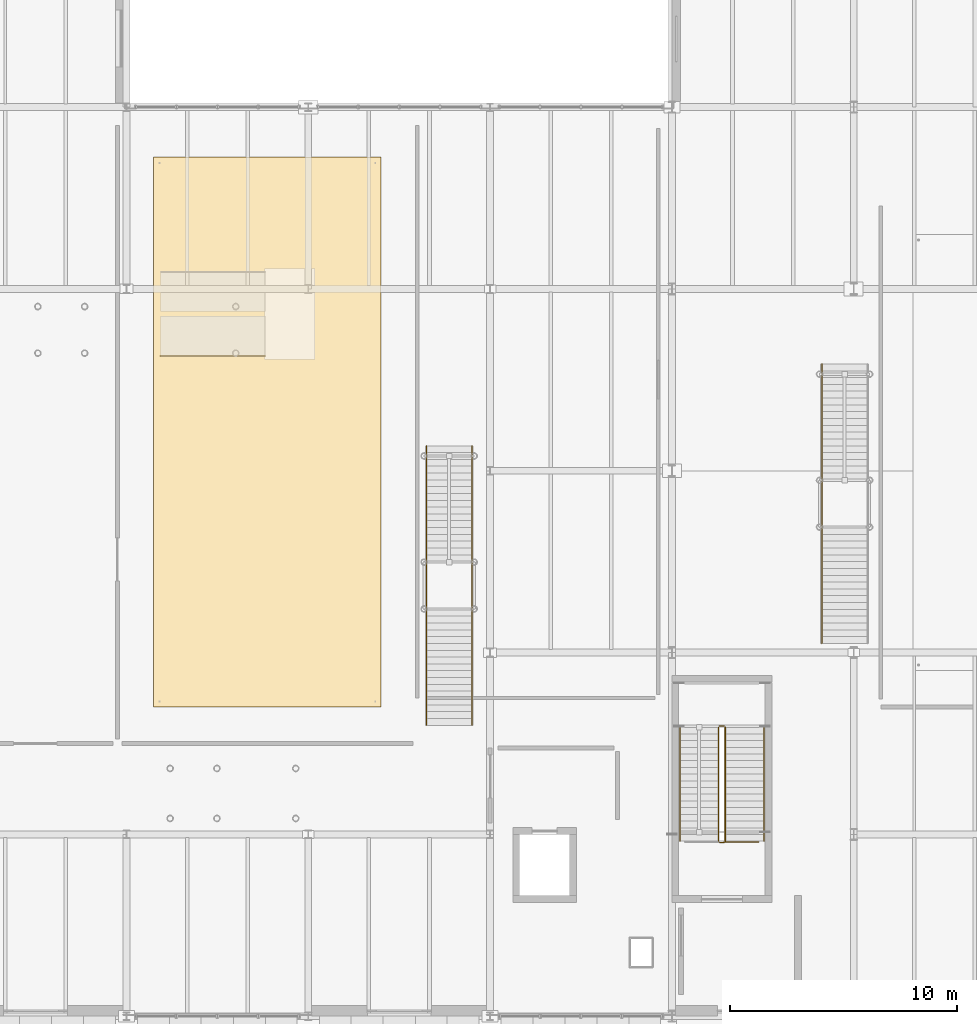
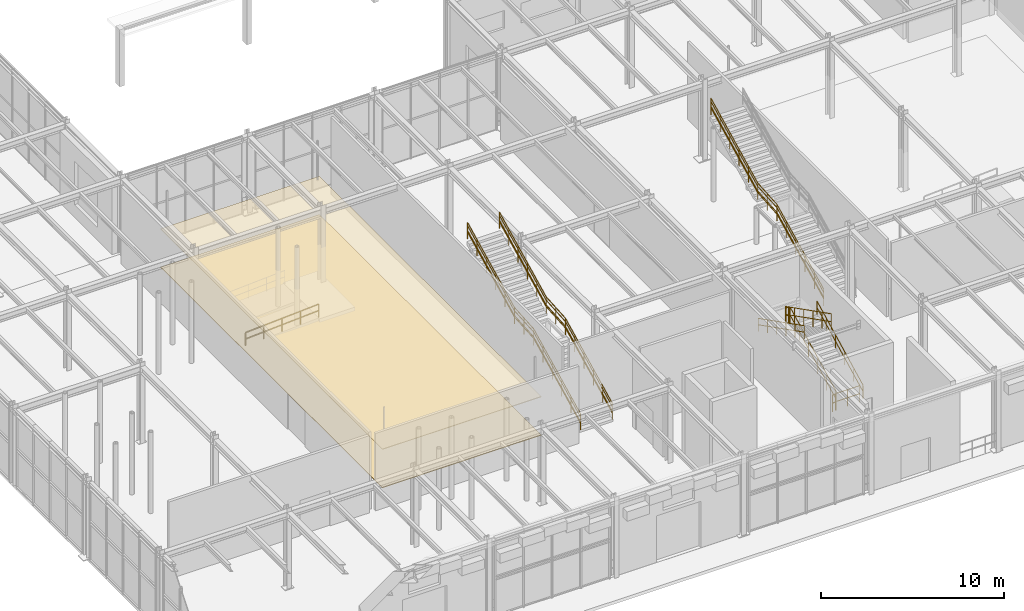
# One storey, part 114 of 129: 14 railings, 2 coverings.
"""IFC4 building model written with IfcOpenShell, lengths in metres."""

from ifc_helpers import new_model, si_unit, direction, frame, origin, origin_2d, place, context, subcontext, project, spatial, polyline, circle, outline, extrude, material, layer, layer_set, type_object, element, save


model = new_model("IFC4")

# Units and contexts
model_context = context("Model", 3, precision=1e-05, world=origin(), true_north=direction((0.0, 1.0)))
body_context = subcontext(model_context, "Body", "Model", "MODEL_VIEW")
ifc_project = project(units=[si_unit("LENGTHUNIT", "METRE"), si_unit("AREAUNIT", "SQUARE_METRE"), si_unit("VOLUMEUNIT", "CUBIC_METRE"), si_unit("PLANEANGLEUNIT", "RADIAN"), si_unit("MASSUNIT", "GRAM", prefix="KILO")], contexts=[model_context])

# Site, building, storey
site_placement = place(None, origin())
site = spatial("IfcSite", under=ifc_project, at=site_placement, CompositionType="ELEMENT")
building_placement = place(site_placement, origin())
building = spatial("IfcBuilding", under=site, at=building_placement, Name="Sundkrona Museum", CompositionType="ELEMENT")
storey_placement = place(building_placement, origin())
storey = spatial("IfcBuildingStorey", under=building, at=storey_placement, Name="L00", CompositionType="ELEMENT", Elevation=0.0)

# Coverings
ifc_material_1 = material(Name="Perforated Acoustic Gypsum and Mineral Wool Ceiling", Category="other")
ifc_layer_1 = layer(ifc_material_1, 0.0400390625)
ifc_layer_set_1 = layer_set([ifc_layer_1], Name="Perforated Acoustic Gypsum and Mineral Wool Ceiling")
covering_type_1 = type_object("IfcCoveringType", Name="COV-CEIL-AC", PredefinedType="CEILING", material=ifc_layer_set_1)
covering_1_placement = place(storey_placement, frame((0.0, 0.0, 2.550048828125)))
element("IfcCovering", 1, at=covering_1_placement, inside=storey, type_object=covering_type_1, Name="L00 Atrium Public Foyer Acoustic Ceiling", PredefinedType="CEILING", context=body_context, shape_type="SweptSolid", body=[
    extrude(outline(polyline([(97.199951171875, 13.60009765625), (107.199951171875, 13.60009765625), (107.199951171875, 37.800048828125), (97.199951171875, 37.800048828125), (97.199951171875, 13.60009765625)])), origin(), (0.0, 0.0, 1.0), 0.0400390625),
])
ifc_material_2 = material(Name="Polished Scanian Limestone Terrazzo Flooring", Category="masonry")
ifc_layer_2 = layer(ifc_material_2, 0.034912109375)
ifc_layer_set_2 = layer_set([ifc_layer_2], Name="Polished Scanian Limestone Terrazzo Flooring")
covering_type_2 = type_object("IfcCoveringType", Name="COV-FLR-TZ", PredefinedType="FLOORING", material=ifc_layer_set_2)
covering_2_placement = place(storey_placement, origin())
element("IfcCovering", 2, at=covering_2_placement, inside=storey, type_object=covering_type_2, Name="L00 Atrium Public Foyer Terrazzo Flooring", PredefinedType="FLOORING", context=body_context, shape_type="SweptSolid", body=[
    extrude(outline(polyline([(97.199951171875, 13.60009765625), (107.199951171875, 13.60009765625), (107.199951171875, 37.800048828125), (97.199951171875, 37.800048828125), (97.199951171875, 13.60009765625)])), origin(), (0.0, 0.0, 1.0), 0.034912109375),
])

# Railings
ifc_material_3 = material(Name="Painted Steel S355J2 and Laminated Glass Balustrade", Category="steel")
railing_type_1 = type_object("IfcRailingType", Name="RL-GUARD-1100", PredefinedType="BALUSTRADE", material=ifc_material_3)
railing_1_placement = place(storey_placement, frame((122.35009765625, 7.699951171875, 0.14990234375)))
element("IfcRailing", 3, at=railing_1_placement, inside=storey, type_object=railing_type_1, Name="L00 ST-2 stair guard 1", PredefinedType="BALUSTRADE", context=body_context, shape_type="SweptSolid", body=[
    extrude(circle(Radius=0.02392578125, at=origin_2d()), frame((0.0, 0.0, 1.076171875), z_axis=(0.0, 0.891386615937, 0.453243754428), x_axis=(-1.0, 0.0, 0.0)), (0.0, 0.0, 1.0), 5.626220703125),
    extrude(circle(Radius=0.02392578125, at=origin_2d()), frame((0.0, 0.0, 0.550048828125), z_axis=(0.0, 0.891386615937, 0.453243754428), x_axis=(-1.0, 0.0, 0.0)), (0.0, 0.0, 1.0), 5.626220703125),
    extrude(circle(Radius=0.02099609375, at=origin_2d()), origin(), (0.0, 0.0, 1.0), 1.052001953125),
    extrude(circle(Radius=0.02099609375, at=origin_2d()), frame((0.0, 1.0029296875, 0.510009765625)), (0.0, 0.0, 1.0), 1.052001953125),
    extrude(circle(Radius=0.02099609375, at=origin_2d()), frame((0.0, 2.006103515625, 1.02001953125)), (0.0, 0.0, 1.0), 1.052001953125),
    extrude(circle(Radius=0.02099609375, at=origin_2d()), frame((0.0, 3.009033203125, 1.530029296875)), (0.0, 0.0, 1.0), 1.052001953125),
    extrude(circle(Radius=0.02099609375, at=origin_2d()), frame((0.0, 4.01220703125, 2.0400390625)), (0.0, 0.0, 1.0), 1.052001953125),
    extrude(circle(Radius=0.02099609375, at=origin_2d()), frame((0.0, 5.01513671875, 2.550048828125)), (0.0, 0.0, 1.0), 1.052001953125),
])
railing_2_placement = place(storey_placement, frame((122.300048828125, 12.764892578125, 2.699951171875)))
element("IfcRailing", 4, at=railing_2_placement, inside=storey, type_object=railing_type_1, Name="L00 ST-2 stair guard 2", PredefinedType="BALUSTRADE", context=body_context, shape_type="SweptSolid", body=[
    extrude(circle(Radius=0.02392578125, at=origin_2d()), frame((0.0, 0.0, 1.076171875), z_axis=(-1.0, 0.0, 0.0), x_axis=(0.0, -1.0, 0.0)), (0.0, 0.0, 1.0), 0.199951171875),
    extrude(circle(Radius=0.02392578125, at=origin_2d()), frame((0.0, 0.0, 0.550048828125), z_axis=(-1.0, 0.0, 0.0), x_axis=(0.0, -1.0, 0.0)), (0.0, 0.0, 1.0), 0.199951171875),
    extrude(circle(Radius=0.02099609375, at=origin_2d()), origin(), (0.0, 0.0, 1.0), 1.052001953125),
    extrude(circle(Radius=0.02099609375, at=origin_2d()), frame((-0.199951171875, 0.0, 0.0)), (0.0, 0.0, 1.0), 1.052001953125),
])
railing_3_placement = place(storey_placement, frame((122.050048828125, 12.715087890625, 2.85009765625)))
element("IfcRailing", 5, at=railing_3_placement, inside=storey, type_object=railing_type_1, Name="L00 ST-2 stair guard 3", PredefinedType="BALUSTRADE", context=body_context, shape_type="SweptSolid", body=[
    extrude(circle(Radius=0.02392578125, at=origin_2d()), frame((0.0, 0.0, 1.076171875), z_axis=(0.0, -0.891404147206, 0.453209274336), x_axis=(1.0, 0.0, 0.0)), (0.0, 0.0, 1.0), 5.626220703125),
    extrude(circle(Radius=0.02392578125, at=origin_2d()), frame((0.0, 0.0, 0.550048828125), z_axis=(0.0, -0.891404147206, 0.453209274336), x_axis=(1.0, 0.0, 0.0)), (0.0, 0.0, 1.0), 5.626220703125),
    extrude(circle(Radius=0.02099609375, at=origin_2d()), origin(), (0.0, 0.0, 1.0), 1.052001953125),
    extrude(circle(Radius=0.02099609375, at=origin_2d()), frame((0.0, -1.0029296875, 0.510009765625)), (0.0, 0.0, 1.0), 1.052001953125),
    extrude(circle(Radius=0.02099609375, at=origin_2d()), frame((0.0, -2.006103515625, 1.02001953125)), (0.0, 0.0, 1.0), 1.052001953125),
    extrude(circle(Radius=0.02099609375, at=origin_2d()), frame((0.0, -3.009033203125, 1.52978515625)), (0.0, 0.0, 1.0), 1.052001953125),
    extrude(circle(Radius=0.02099609375, at=origin_2d()), frame((0.0, -4.01220703125, 2.039794921875)), (0.0, 0.0, 1.0), 1.052001953125),
    extrude(circle(Radius=0.02099609375, at=origin_2d()), frame((0.0, -5.01513671875, 2.5498046875)), (0.0, 0.0, 1.0), 1.052001953125),
])
railing_4_placement = place(storey_placement, frame((122.300048828125, 7.64990234375, 0.0)))
element("IfcRailing", 6, at=railing_4_placement, inside=storey, type_object=railing_type_1, Name="L00 ST-2 stair guard 4", PredefinedType="BALUSTRADE", context=body_context, shape_type="SweptSolid", body=[
    extrude(circle(Radius=0.02392578125, at=origin_2d()), frame((0.0, 0.0, 1.076171875), z_axis=(-1.0, 0.0, 0.0), x_axis=(0.0, -1.0, 0.0)), (0.0, 0.0, 1.0), 0.199951171875),
    extrude(circle(Radius=0.02392578125, at=origin_2d()), frame((0.0, 0.0, 0.550048828125), z_axis=(-1.0, 0.0, 0.0), x_axis=(0.0, -1.0, 0.0)), (0.0, 0.0, 1.0), 0.199951171875),
    extrude(circle(Radius=0.02099609375, at=origin_2d()), origin(), (0.0, 0.0, 1.0), 1.052001953125),
    extrude(circle(Radius=0.02099609375, at=origin_2d()), frame((-0.199951171875, 0.0, 0.0)), (0.0, 0.0, 1.0), 1.052001953125),
])
railing_5_placement = place(storey_placement, frame((109.199951171875, 12.800048828125, 0.14990234375)))
element("IfcRailing", 7, at=railing_5_placement, inside=storey, type_object=railing_type_1, Name="FS-1 Feature Stair Balustrade L", PredefinedType="BALUSTRADE", context=body_context, shape_type="SweptSolid", body=[
    extrude(circle(Radius=0.02392578125, at=origin_2d()), frame((0.0, 0.0, 1.09619140625), z_axis=(0.0, 0.894418627299, 0.447230722492), x_axis=(-1.0, 0.0, 0.0)), (0.0, 0.0, 1.0), 5.701904296875),
    extrude(circle(Radius=0.02392578125, at=origin_2d()), frame((0.0, 0.0, 0.56005859375), z_axis=(0.0, 0.894418627299, 0.447230722492), x_axis=(-1.0, 0.0, 0.0)), (0.0, 0.0, 1.0), 5.701904296875),
    extrude(circle(Radius=0.02392578125, at=origin_2d()), frame((0.0, 5.099853515625, 3.64599609375), z_axis=(0.0, 0.997453988777, 0.071312974087), x_axis=(-1.0, 0.0, 0.0)), (0.0, 0.0, 1.0), 2.10546875),
    extrude(circle(Radius=0.02392578125, at=origin_2d()), frame((0.0, 5.099853515625, 3.110107421875), z_axis=(0.0, 0.997453988777, 0.071312974087), x_axis=(-1.0, 0.0, 0.0)), (0.0, 0.0, 1.0), 2.10546875),
    extrude(circle(Radius=0.02392578125, at=origin_2d()), frame((0.0, 7.199951171875, 3.79638671875), z_axis=(0.0, 0.89444431709, 0.44717934168), x_axis=(-1.0, 0.0, 0.0)), (0.0, 0.0, 1.0), 5.701904296875),
    extrude(circle(Radius=0.02392578125, at=origin_2d()), frame((0.0, 7.199951171875, 3.26025390625), z_axis=(0.0, 0.89444431709, 0.44717934168), x_axis=(-1.0, 0.0, 0.0)), (0.0, 0.0, 1.0), 5.701904296875),
    extrude(circle(Radius=0.02099609375, at=origin_2d()), origin(), (0.0, 0.0, 1.0), 1.072021484375),
    extrude(circle(Radius=0.02099609375, at=origin_2d()), frame((0.0, 1.02001953125, 0.510009765625)), (0.0, 0.0, 1.0), 1.072021484375),
    extrude(circle(Radius=0.02099609375, at=origin_2d()), frame((0.0, 2.0400390625, 1.02001953125)), (0.0, 0.0, 1.0), 1.072021484375),
    extrude(circle(Radius=0.02099609375, at=origin_2d()), frame((0.0, 3.059814453125, 1.530029296875)), (0.0, 0.0, 1.0), 1.072021484375),
    extrude(circle(Radius=0.02099609375, at=origin_2d()), frame((0.0, 4.079833984375, 2.0400390625)), (0.0, 0.0, 1.0), 1.072021484375),
    extrude(circle(Radius=0.02099609375, at=origin_2d()), frame((0.0, 5.099853515625, 2.550048828125)), (0.0, 0.0, 1.0), 1.072021484375),
    extrude(circle(Radius=0.02099609375, at=origin_2d()), frame((0.0, 6.14990234375, 2.625)), (0.0, 0.0, 1.0), 1.072021484375),
    extrude(circle(Radius=0.02099609375, at=origin_2d()), frame((0.0, 7.199951171875, 2.7001953125)), (0.0, 0.0, 1.0), 1.072021484375),
    extrude(circle(Radius=0.02099609375, at=origin_2d()), frame((0.0, 8.219970703125, 3.210205078125)), (0.0, 0.0, 1.0), 1.072021484375),
    extrude(circle(Radius=0.02099609375, at=origin_2d()), frame((0.0, 9.239990234375, 3.72021484375)), (0.0, 0.0, 1.0), 1.072021484375),
    extrude(circle(Radius=0.02099609375, at=origin_2d()), frame((0.0, 10.260009765625, 4.22998046875)), (0.0, 0.0, 1.0), 1.072021484375),
    extrude(circle(Radius=0.02099609375, at=origin_2d()), frame((0.0, 11.280029296875, 4.739990234375)), (0.0, 0.0, 1.0), 1.072021484375),
    extrude(circle(Radius=0.02099609375, at=origin_2d()), frame((0.0, 12.300048828125, 5.25)), (0.0, 0.0, 1.0), 1.072021484375),
])
railing_6_placement = place(storey_placement, frame((111.199951171875, 12.800048828125, 0.14990234375)))
element("IfcRailing", 8, at=railing_6_placement, inside=storey, type_object=railing_type_1, Name="FS-1 Feature Stair Balustrade R", PredefinedType="BALUSTRADE", context=body_context, shape_type="SweptSolid", body=[
    extrude(circle(Radius=0.02392578125, at=origin_2d()), frame((0.0, 0.0, 1.09619140625), z_axis=(0.0, 0.894418627299, 0.447230722492), x_axis=(-1.0, 0.0, 0.0)), (0.0, 0.0, 1.0), 5.701904296875),
    extrude(circle(Radius=0.02392578125, at=origin_2d()), frame((0.0, 0.0, 0.56005859375), z_axis=(0.0, 0.894418627299, 0.447230722492), x_axis=(-1.0, 0.0, 0.0)), (0.0, 0.0, 1.0), 5.701904296875),
    extrude(circle(Radius=0.02392578125, at=origin_2d()), frame((0.0, 5.099853515625, 3.64599609375), z_axis=(0.0, 0.997453988777, 0.071312974087), x_axis=(-1.0, 0.0, 0.0)), (0.0, 0.0, 1.0), 2.10546875),
    extrude(circle(Radius=0.02392578125, at=origin_2d()), frame((0.0, 5.099853515625, 3.110107421875), z_axis=(0.0, 0.997453988777, 0.071312974087), x_axis=(-1.0, 0.0, 0.0)), (0.0, 0.0, 1.0), 2.10546875),
    extrude(circle(Radius=0.02392578125, at=origin_2d()), frame((0.0, 7.199951171875, 3.79638671875), z_axis=(0.0, 0.89444431709, 0.44717934168), x_axis=(-1.0, 0.0, 0.0)), (0.0, 0.0, 1.0), 5.701904296875),
    extrude(circle(Radius=0.02392578125, at=origin_2d()), frame((0.0, 7.199951171875, 3.26025390625), z_axis=(0.0, 0.89444431709, 0.44717934168), x_axis=(-1.0, 0.0, 0.0)), (0.0, 0.0, 1.0), 5.701904296875),
    extrude(circle(Radius=0.02099609375, at=origin_2d()), origin(), (0.0, 0.0, 1.0), 1.072021484375),
    extrude(circle(Radius=0.02099609375, at=origin_2d()), frame((0.0, 1.02001953125, 0.510009765625)), (0.0, 0.0, 1.0), 1.072021484375),
    extrude(circle(Radius=0.02099609375, at=origin_2d()), frame((0.0, 2.0400390625, 1.02001953125)), (0.0, 0.0, 1.0), 1.072021484375),
    extrude(circle(Radius=0.02099609375, at=origin_2d()), frame((0.0, 3.059814453125, 1.530029296875)), (0.0, 0.0, 1.0), 1.072021484375),
    extrude(circle(Radius=0.02099609375, at=origin_2d()), frame((0.0, 4.079833984375, 2.0400390625)), (0.0, 0.0, 1.0), 1.072021484375),
    extrude(circle(Radius=0.02099609375, at=origin_2d()), frame((0.0, 5.099853515625, 2.550048828125)), (0.0, 0.0, 1.0), 1.072021484375),
    extrude(circle(Radius=0.02099609375, at=origin_2d()), frame((0.0, 6.14990234375, 2.625)), (0.0, 0.0, 1.0), 1.072021484375),
    extrude(circle(Radius=0.02099609375, at=origin_2d()), frame((0.0, 7.199951171875, 2.7001953125)), (0.0, 0.0, 1.0), 1.072021484375),
    extrude(circle(Radius=0.02099609375, at=origin_2d()), frame((0.0, 8.219970703125, 3.210205078125)), (0.0, 0.0, 1.0), 1.072021484375),
    extrude(circle(Radius=0.02099609375, at=origin_2d()), frame((0.0, 9.239990234375, 3.72021484375)), (0.0, 0.0, 1.0), 1.072021484375),
    extrude(circle(Radius=0.02099609375, at=origin_2d()), frame((0.0, 10.260009765625, 4.22998046875)), (0.0, 0.0, 1.0), 1.072021484375),
    extrude(circle(Radius=0.02099609375, at=origin_2d()), frame((0.0, 11.280029296875, 4.739990234375)), (0.0, 0.0, 1.0), 1.072021484375),
    extrude(circle(Radius=0.02099609375, at=origin_2d()), frame((0.0, 12.300048828125, 5.25)), (0.0, 0.0, 1.0), 1.072021484375),
])
railing_7_placement = place(storey_placement, frame((126.60009765625, 16.39990234375, 0.14990234375)))
element("IfcRailing", 9, at=railing_7_placement, inside=storey, type_object=railing_type_1, Name="FS-5 Feature Stair Balustrade L", PredefinedType="BALUSTRADE", context=body_context, shape_type="SweptSolid", body=[
    extrude(circle(Radius=0.02392578125, at=origin_2d()), frame((0.0, 0.0, 1.09619140625), z_axis=(0.0, 0.894427191, 0.4472135955), x_axis=(-1.0, 0.0, 0.0)), (0.0, 0.0, 1.0), 5.7021484375),
    extrude(circle(Radius=0.02392578125, at=origin_2d()), frame((0.0, 0.0, 0.56005859375), z_axis=(0.0, 0.894427191, 0.4472135955), x_axis=(-1.0, 0.0, 0.0)), (0.0, 0.0, 1.0), 5.7021484375),
    extrude(circle(Radius=0.02392578125, at=origin_2d()), frame((0.0, 5.10009765625, 3.64599609375), z_axis=(0.0, 0.997453988777, 0.071312974087), x_axis=(-1.0, 0.0, 0.0)), (0.0, 0.0, 1.0), 2.10546875),
    extrude(circle(Radius=0.02392578125, at=origin_2d()), frame((0.0, 5.10009765625, 3.110107421875), z_axis=(0.0, 0.997453988777, 0.071312974087), x_axis=(-1.0, 0.0, 0.0)), (0.0, 0.0, 1.0), 2.10546875),
    extrude(circle(Radius=0.02392578125, at=origin_2d()), frame((0.0, 7.2001953125, 3.79638671875), z_axis=(0.0, 0.894435754537, 0.447196468016), x_axis=(-1.0, 0.0, 0.0)), (0.0, 0.0, 1.0), 5.70166015625),
    extrude(circle(Radius=0.02392578125, at=origin_2d()), frame((0.0, 7.2001953125, 3.26025390625), z_axis=(0.0, 0.894435754537, 0.447196468016), x_axis=(-1.0, 0.0, 0.0)), (0.0, 0.0, 1.0), 5.70166015625),
    extrude(circle(Radius=0.02099609375, at=origin_2d()), origin(), (0.0, 0.0, 1.0), 1.072021484375),
    extrude(circle(Radius=0.02099609375, at=origin_2d()), frame((0.0, 1.02001953125, 0.510009765625)), (0.0, 0.0, 1.0), 1.072021484375),
    extrude(circle(Radius=0.02099609375, at=origin_2d()), frame((0.0, 2.0400390625, 1.02001953125)), (0.0, 0.0, 1.0), 1.072021484375),
    extrude(circle(Radius=0.02099609375, at=origin_2d()), frame((0.0, 3.06005859375, 1.530029296875)), (0.0, 0.0, 1.0), 1.072021484375),
    extrude(circle(Radius=0.02099609375, at=origin_2d()), frame((0.0, 4.080078125, 2.0400390625)), (0.0, 0.0, 1.0), 1.072021484375),
    extrude(circle(Radius=0.02099609375, at=origin_2d()), frame((0.0, 5.10009765625, 2.550048828125)), (0.0, 0.0, 1.0), 1.072021484375),
    extrude(circle(Radius=0.02099609375, at=origin_2d()), frame((0.0, 6.150146484375, 2.625)), (0.0, 0.0, 1.0), 1.072021484375),
    extrude(circle(Radius=0.02099609375, at=origin_2d()), frame((0.0, 7.2001953125, 2.7001953125)), (0.0, 0.0, 1.0), 1.072021484375),
    extrude(circle(Radius=0.02099609375, at=origin_2d()), frame((0.0, 8.22021484375, 3.210205078125)), (0.0, 0.0, 1.0), 1.072021484375),
    extrude(circle(Radius=0.02099609375, at=origin_2d()), frame((0.0, 9.240234375, 3.72021484375)), (0.0, 0.0, 1.0), 1.072021484375),
    extrude(circle(Radius=0.02099609375, at=origin_2d()), frame((0.0, 10.260009765625, 4.22998046875)), (0.0, 0.0, 1.0), 1.072021484375),
    extrude(circle(Radius=0.02099609375, at=origin_2d()), frame((0.0, 11.280029296875, 4.739990234375)), (0.0, 0.0, 1.0), 1.072021484375),
    extrude(circle(Radius=0.02099609375, at=origin_2d()), frame((0.0, 12.300048828125, 5.25)), (0.0, 0.0, 1.0), 1.072021484375),
])
railing_8_placement = place(storey_placement, frame((122.300048828125, 7.6650390625, 0.0)))
element("IfcRailing", 10, at=railing_8_placement, inside=storey, type_object=railing_type_1, Name="L00 Edge Protection Balustrade 029", PredefinedType="BALUSTRADE", context=body_context, shape_type="SweptSolid", body=[
    extrude(circle(Radius=0.02392578125, at=origin_2d()), frame((0.0, 0.0, 1.09619140625), z_axis=(1.0, 0.0, 0.0), x_axis=(0.0, 1.0, 0.0)), (0.0, 0.0, 1.0), 1.52001953125),
    extrude(circle(Radius=0.02392578125, at=origin_2d()), frame((0.0, 0.0, 0.56005859375), z_axis=(1.0, 0.0, 0.0), x_axis=(0.0, 1.0, 0.0)), (0.0, 0.0, 1.0), 1.52001953125),
    extrude(circle(Radius=0.02099609375, at=origin_2d()), origin(), (0.0, 0.0, 1.0), 1.072021484375),
    extrude(circle(Radius=0.02099609375, at=origin_2d()), frame((0.760009765625, 0.0, 0.0)), (0.0, 0.0, 1.0), 1.072021484375),
    extrude(circle(Radius=0.02099609375, at=origin_2d()), frame((1.52001953125, 0.0, 0.0)), (0.0, 0.0, 1.0), 1.072021484375),
])
ifc_material_4 = material(Name="Brushed Bronze-Clad Steel Handrail", Category="steel")
railing_type_2 = type_object("IfcRailingType", Name="RL-HAND-900", PredefinedType="HANDRAIL", material=ifc_material_4)
railing_9_placement = place(storey_placement, frame((124.050048828125, 7.699951171875, 0.14990234375)))
element("IfcRailing", 11, at=railing_9_placement, inside=storey, type_object=railing_type_2, Name="L00 ST-2 stair handrail 1", PredefinedType="HANDRAIL", context=body_context, shape_type="SweptSolid", body=[
    extrude(circle(Radius=0.02392578125, at=origin_2d()), frame((0.0, 0.0, 0.8759765625), z_axis=(0.0, 0.891386615937, 0.453243754428), x_axis=(-1.0, 0.0, 0.0)), (0.0, 0.0, 1.0), 5.626220703125),
    extrude(circle(Radius=0.02392578125, at=origin_2d()), frame((0.0, 0.0, 0.449951171875), z_axis=(0.0, 0.891386615937, 0.453243754428), x_axis=(-1.0, 0.0, 0.0)), (0.0, 0.0, 1.0), 5.626220703125),
    extrude(circle(Radius=0.02099609375, at=origin_2d()), origin(), (0.0, 0.0, 1.0), 0.851806640625),
    extrude(circle(Radius=0.02099609375, at=origin_2d()), frame((0.0, 1.0029296875, 0.510009765625)), (0.0, 0.0, 1.0), 0.851806640625),
    extrude(circle(Radius=0.02099609375, at=origin_2d()), frame((0.0, 2.006103515625, 1.02001953125)), (0.0, 0.0, 1.0), 0.851806640625),
    extrude(circle(Radius=0.02099609375, at=origin_2d()), frame((0.0, 3.009033203125, 1.530029296875)), (0.0, 0.0, 1.0), 0.851806640625),
    extrude(circle(Radius=0.02099609375, at=origin_2d()), frame((0.0, 4.01220703125, 2.0400390625)), (0.0, 0.0, 1.0), 0.851806640625),
    extrude(circle(Radius=0.02099609375, at=origin_2d()), frame((0.0, 5.01513671875, 2.550048828125)), (0.0, 0.0, 1.0), 0.851806640625),
])
railing_10_placement = place(storey_placement, frame((120.35009765625, 12.715087890625, 2.85009765625)))
element("IfcRailing", 12, at=railing_10_placement, inside=storey, type_object=railing_type_2, Name="L00 ST-2 stair handrail 2", PredefinedType="HANDRAIL", context=body_context, shape_type="SweptSolid", body=[
    extrude(circle(Radius=0.02392578125, at=origin_2d()), frame((0.0, 0.0, 0.8759765625), z_axis=(0.0, -0.891404147206, 0.453209274336), x_axis=(1.0, 0.0, 0.0)), (0.0, 0.0, 1.0), 5.626220703125),
    extrude(circle(Radius=0.02392578125, at=origin_2d()), frame((0.0, 0.0, 0.449951171875), z_axis=(0.0, -0.891404147206, 0.453209274336), x_axis=(1.0, 0.0, 0.0)), (0.0, 0.0, 1.0), 5.626220703125),
    extrude(circle(Radius=0.02099609375, at=origin_2d()), origin(), (0.0, 0.0, 1.0), 0.851806640625),
    extrude(circle(Radius=0.02099609375, at=origin_2d()), frame((0.0, -1.0029296875, 0.510009765625)), (0.0, 0.0, 1.0), 0.851806640625),
    extrude(circle(Radius=0.02099609375, at=origin_2d()), frame((0.0, -2.006103515625, 1.02001953125)), (0.0, 0.0, 1.0), 0.851806640625),
    extrude(circle(Radius=0.02099609375, at=origin_2d()), frame((0.0, -3.009033203125, 1.52978515625)), (0.0, 0.0, 1.0), 0.851806640625),
    extrude(circle(Radius=0.02099609375, at=origin_2d()), frame((0.0, -4.01220703125, 2.039794921875)), (0.0, 0.0, 1.0), 0.851806640625),
    extrude(circle(Radius=0.02099609375, at=origin_2d()), frame((0.0, -5.01513671875, 2.5498046875)), (0.0, 0.0, 1.0), 0.851806640625),
])
railing_11_placement = place(storey_placement, frame((109.199951171875, 12.800048828125, 0.14990234375)))
element("IfcRailing", 13, at=railing_11_placement, inside=storey, type_object=railing_type_2, Name="FS-1 Feature Stair Handrail L", PredefinedType="HANDRAIL", context=body_context, shape_type="SweptSolid", body=[
    extrude(circle(Radius=0.02392578125, at=origin_2d()), frame((0.0, 0.0, 0.8759765625), z_axis=(0.0, 0.894418627299, 0.447230722492), x_axis=(-1.0, 0.0, 0.0)), (0.0, 0.0, 1.0), 5.701904296875),
    extrude(circle(Radius=0.02392578125, at=origin_2d()), frame((0.0, 0.0, 0.449951171875), z_axis=(0.0, 0.894418627299, 0.447230722492), x_axis=(-1.0, 0.0, 0.0)), (0.0, 0.0, 1.0), 5.701904296875),
    extrude(circle(Radius=0.02392578125, at=origin_2d()), frame((0.0, 5.099853515625, 3.42578125), z_axis=(0.0, 0.997453988777, 0.071312974087), x_axis=(-1.0, 0.0, 0.0)), (0.0, 0.0, 1.0), 2.10546875),
    extrude(circle(Radius=0.02392578125, at=origin_2d()), frame((0.0, 5.099853515625, 3.0), z_axis=(0.0, 0.997453988777, 0.071312974087), x_axis=(-1.0, 0.0, 0.0)), (0.0, 0.0, 1.0), 2.10546875),
    extrude(circle(Radius=0.02392578125, at=origin_2d()), frame((0.0, 7.199951171875, 3.576171875), z_axis=(0.0, 0.89444431709, 0.44717934168), x_axis=(-1.0, 0.0, 0.0)), (0.0, 0.0, 1.0), 5.701904296875),
    extrude(circle(Radius=0.02392578125, at=origin_2d()), frame((0.0, 7.199951171875, 3.150146484375), z_axis=(0.0, 0.89444431709, 0.44717934168), x_axis=(-1.0, 0.0, 0.0)), (0.0, 0.0, 1.0), 5.701904296875),
    extrude(circle(Radius=0.02099609375, at=origin_2d()), origin(), (0.0, 0.0, 1.0), 0.851806640625),
    extrude(circle(Radius=0.02099609375, at=origin_2d()), frame((0.0, 1.02001953125, 0.510009765625)), (0.0, 0.0, 1.0), 0.851806640625),
    extrude(circle(Radius=0.02099609375, at=origin_2d()), frame((0.0, 2.0400390625, 1.02001953125)), (0.0, 0.0, 1.0), 0.851806640625),
    extrude(circle(Radius=0.02099609375, at=origin_2d()), frame((0.0, 3.059814453125, 1.530029296875)), (0.0, 0.0, 1.0), 0.851806640625),
    extrude(circle(Radius=0.02099609375, at=origin_2d()), frame((0.0, 4.079833984375, 2.0400390625)), (0.0, 0.0, 1.0), 0.851806640625),
    extrude(circle(Radius=0.02099609375, at=origin_2d()), frame((0.0, 5.099853515625, 2.550048828125)), (0.0, 0.0, 1.0), 0.851806640625),
    extrude(circle(Radius=0.02099609375, at=origin_2d()), frame((0.0, 6.14990234375, 2.625)), (0.0, 0.0, 1.0), 0.851806640625),
    extrude(circle(Radius=0.02099609375, at=origin_2d()), frame((0.0, 7.199951171875, 2.7001953125)), (0.0, 0.0, 1.0), 0.851806640625),
    extrude(circle(Radius=0.02099609375, at=origin_2d()), frame((0.0, 8.219970703125, 3.210205078125)), (0.0, 0.0, 1.0), 0.851806640625),
    extrude(circle(Radius=0.02099609375, at=origin_2d()), frame((0.0, 9.239990234375, 3.72021484375)), (0.0, 0.0, 1.0), 0.851806640625),
    extrude(circle(Radius=0.02099609375, at=origin_2d()), frame((0.0, 10.260009765625, 4.22998046875)), (0.0, 0.0, 1.0), 0.851806640625),
    extrude(circle(Radius=0.02099609375, at=origin_2d()), frame((0.0, 11.280029296875, 4.739990234375)), (0.0, 0.0, 1.0), 0.851806640625),
    extrude(circle(Radius=0.02099609375, at=origin_2d()), frame((0.0, 12.300048828125, 5.25)), (0.0, 0.0, 1.0), 0.851806640625),
])
railing_12_placement = place(storey_placement, frame((111.199951171875, 12.800048828125, 0.14990234375)))
element("IfcRailing", 14, at=railing_12_placement, inside=storey, type_object=railing_type_2, Name="FS-1 Feature Stair Handrail R", PredefinedType="HANDRAIL", context=body_context, shape_type="SweptSolid", body=[
    extrude(circle(Radius=0.02392578125, at=origin_2d()), frame((0.0, 0.0, 0.8759765625), z_axis=(0.0, 0.894418627299, 0.447230722492), x_axis=(-1.0, 0.0, 0.0)), (0.0, 0.0, 1.0), 5.701904296875),
    extrude(circle(Radius=0.02392578125, at=origin_2d()), frame((0.0, 0.0, 0.449951171875), z_axis=(0.0, 0.894418627299, 0.447230722492), x_axis=(-1.0, 0.0, 0.0)), (0.0, 0.0, 1.0), 5.701904296875),
    extrude(circle(Radius=0.02392578125, at=origin_2d()), frame((0.0, 5.099853515625, 3.42578125), z_axis=(0.0, 0.997453988777, 0.071312974087), x_axis=(-1.0, 0.0, 0.0)), (0.0, 0.0, 1.0), 2.10546875),
    extrude(circle(Radius=0.02392578125, at=origin_2d()), frame((0.0, 5.099853515625, 3.0), z_axis=(0.0, 0.997453988777, 0.071312974087), x_axis=(-1.0, 0.0, 0.0)), (0.0, 0.0, 1.0), 2.10546875),
    extrude(circle(Radius=0.02392578125, at=origin_2d()), frame((0.0, 7.199951171875, 3.576171875), z_axis=(0.0, 0.89444431709, 0.44717934168), x_axis=(-1.0, 0.0, 0.0)), (0.0, 0.0, 1.0), 5.701904296875),
    extrude(circle(Radius=0.02392578125, at=origin_2d()), frame((0.0, 7.199951171875, 3.150146484375), z_axis=(0.0, 0.89444431709, 0.44717934168), x_axis=(-1.0, 0.0, 0.0)), (0.0, 0.0, 1.0), 5.701904296875),
    extrude(circle(Radius=0.02099609375, at=origin_2d()), origin(), (0.0, 0.0, 1.0), 0.851806640625),
    extrude(circle(Radius=0.02099609375, at=origin_2d()), frame((0.0, 1.02001953125, 0.510009765625)), (0.0, 0.0, 1.0), 0.851806640625),
    extrude(circle(Radius=0.02099609375, at=origin_2d()), frame((0.0, 2.0400390625, 1.02001953125)), (0.0, 0.0, 1.0), 0.851806640625),
    extrude(circle(Radius=0.02099609375, at=origin_2d()), frame((0.0, 3.059814453125, 1.530029296875)), (0.0, 0.0, 1.0), 0.851806640625),
    extrude(circle(Radius=0.02099609375, at=origin_2d()), frame((0.0, 4.079833984375, 2.0400390625)), (0.0, 0.0, 1.0), 0.851806640625),
    extrude(circle(Radius=0.02099609375, at=origin_2d()), frame((0.0, 5.099853515625, 2.550048828125)), (0.0, 0.0, 1.0), 0.851806640625),
    extrude(circle(Radius=0.02099609375, at=origin_2d()), frame((0.0, 6.14990234375, 2.625)), (0.0, 0.0, 1.0), 0.851806640625),
    extrude(circle(Radius=0.02099609375, at=origin_2d()), frame((0.0, 7.199951171875, 2.7001953125)), (0.0, 0.0, 1.0), 0.851806640625),
    extrude(circle(Radius=0.02099609375, at=origin_2d()), frame((0.0, 8.219970703125, 3.210205078125)), (0.0, 0.0, 1.0), 0.851806640625),
    extrude(circle(Radius=0.02099609375, at=origin_2d()), frame((0.0, 9.239990234375, 3.72021484375)), (0.0, 0.0, 1.0), 0.851806640625),
    extrude(circle(Radius=0.02099609375, at=origin_2d()), frame((0.0, 10.260009765625, 4.22998046875)), (0.0, 0.0, 1.0), 0.851806640625),
    extrude(circle(Radius=0.02099609375, at=origin_2d()), frame((0.0, 11.280029296875, 4.739990234375)), (0.0, 0.0, 1.0), 0.851806640625),
    extrude(circle(Radius=0.02099609375, at=origin_2d()), frame((0.0, 12.300048828125, 5.25)), (0.0, 0.0, 1.0), 0.851806640625),
])
railing_13_placement = place(storey_placement, frame((126.60009765625, 16.39990234375, 0.14990234375)))
element("IfcRailing", 15, at=railing_13_placement, inside=storey, type_object=railing_type_2, Name="FS-5 Feature Stair Handrail L", PredefinedType="HANDRAIL", context=body_context, shape_type="SweptSolid", body=[
    extrude(circle(Radius=0.02392578125, at=origin_2d()), frame((0.0, 0.0, 0.8759765625), z_axis=(0.0, 0.894427191, 0.4472135955), x_axis=(-1.0, 0.0, 0.0)), (0.0, 0.0, 1.0), 5.7021484375),
    extrude(circle(Radius=0.02392578125, at=origin_2d()), frame((0.0, 0.0, 0.449951171875), z_axis=(0.0, 0.894427191, 0.4472135955), x_axis=(-1.0, 0.0, 0.0)), (0.0, 0.0, 1.0), 5.7021484375),
    extrude(circle(Radius=0.02392578125, at=origin_2d()), frame((0.0, 5.10009765625, 3.42578125), z_axis=(0.0, 0.997453988777, 0.071312974087), x_axis=(-1.0, 0.0, 0.0)), (0.0, 0.0, 1.0), 2.10546875),
    extrude(circle(Radius=0.02392578125, at=origin_2d()), frame((0.0, 5.10009765625, 3.0), z_axis=(0.0, 0.997453988777, 0.071312974087), x_axis=(-1.0, 0.0, 0.0)), (0.0, 0.0, 1.0), 2.10546875),
    extrude(circle(Radius=0.02392578125, at=origin_2d()), frame((0.0, 7.2001953125, 3.576171875), z_axis=(0.0, 0.894435754537, 0.447196468016), x_axis=(-1.0, 0.0, 0.0)), (0.0, 0.0, 1.0), 5.70166015625),
    extrude(circle(Radius=0.02392578125, at=origin_2d()), frame((0.0, 7.2001953125, 3.150146484375), z_axis=(0.0, 0.894435754537, 0.447196468016), x_axis=(-1.0, 0.0, 0.0)), (0.0, 0.0, 1.0), 5.70166015625),
    extrude(circle(Radius=0.02099609375, at=origin_2d()), origin(), (0.0, 0.0, 1.0), 0.851806640625),
    extrude(circle(Radius=0.02099609375, at=origin_2d()), frame((0.0, 1.02001953125, 0.510009765625)), (0.0, 0.0, 1.0), 0.851806640625),
    extrude(circle(Radius=0.02099609375, at=origin_2d()), frame((0.0, 2.0400390625, 1.02001953125)), (0.0, 0.0, 1.0), 0.851806640625),
    extrude(circle(Radius=0.02099609375, at=origin_2d()), frame((0.0, 3.06005859375, 1.530029296875)), (0.0, 0.0, 1.0), 0.851806640625),
    extrude(circle(Radius=0.02099609375, at=origin_2d()), frame((0.0, 4.080078125, 2.0400390625)), (0.0, 0.0, 1.0), 0.851806640625),
    extrude(circle(Radius=0.02099609375, at=origin_2d()), frame((0.0, 5.10009765625, 2.550048828125)), (0.0, 0.0, 1.0), 0.851806640625),
    extrude(circle(Radius=0.02099609375, at=origin_2d()), frame((0.0, 6.150146484375, 2.625)), (0.0, 0.0, 1.0), 0.851806640625),
    extrude(circle(Radius=0.02099609375, at=origin_2d()), frame((0.0, 7.2001953125, 2.7001953125)), (0.0, 0.0, 1.0), 0.851806640625),
    extrude(circle(Radius=0.02099609375, at=origin_2d()), frame((0.0, 8.22021484375, 3.210205078125)), (0.0, 0.0, 1.0), 0.851806640625),
    extrude(circle(Radius=0.02099609375, at=origin_2d()), frame((0.0, 9.240234375, 3.72021484375)), (0.0, 0.0, 1.0), 0.851806640625),
    extrude(circle(Radius=0.02099609375, at=origin_2d()), frame((0.0, 10.260009765625, 4.22998046875)), (0.0, 0.0, 1.0), 0.851806640625),
    extrude(circle(Radius=0.02099609375, at=origin_2d()), frame((0.0, 11.280029296875, 4.739990234375)), (0.0, 0.0, 1.0), 0.851806640625),
    extrude(circle(Radius=0.02099609375, at=origin_2d()), frame((0.0, 12.300048828125, 5.25)), (0.0, 0.0, 1.0), 0.851806640625),
])
railing_14_placement = place(storey_placement, frame((97.5, 29.050048828125, 0.0)))
element("IfcRailing", 16, at=railing_14_placement, inside=storey, type_object=railing_type_2, Name="RMP-01 Handrail South", PredefinedType="HANDRAIL", context=body_context, shape_type="SweptSolid", body=[
    extrude(circle(Radius=0.02392578125, at=origin_2d()), frame((0.0, 0.0, 0.8759765625), z_axis=(0.998152272785, 0.0, 0.060762162025), x_axis=(0.0, 1.0, 0.0)), (0.0, 0.0, 1.0), 4.608642578125),
    extrude(circle(Radius=0.02392578125, at=origin_2d()), frame((0.0, 0.0, 0.449951171875), z_axis=(0.998152272785, 0.0, 0.060762162025), x_axis=(0.0, 1.0, 0.0)), (0.0, 0.0, 1.0), 4.608642578125),
    extrude(circle(Radius=0.02099609375, at=origin_2d()), origin(), (0.0, 0.0, 1.0), 0.851806640625),
    extrude(circle(Radius=0.02099609375, at=origin_2d()), frame((1.14990234375, 0.0, 0.070068359375)), (0.0, 0.0, 1.0), 0.851806640625),
    extrude(circle(Radius=0.02099609375, at=origin_2d()), frame((2.300048828125, 0.0, 0.14013671875)), (0.0, 0.0, 1.0), 0.851806640625),
    extrude(circle(Radius=0.02099609375, at=origin_2d()), frame((3.4501953125, 0.0, 0.2099609375)), (0.0, 0.0, 1.0), 0.851806640625),
    extrude(circle(Radius=0.02099609375, at=origin_2d()), frame((4.60009765625, 0.0, 0.280029296875)), (0.0, 0.0, 1.0), 0.851806640625),
])

save(model, "model.ifc")
